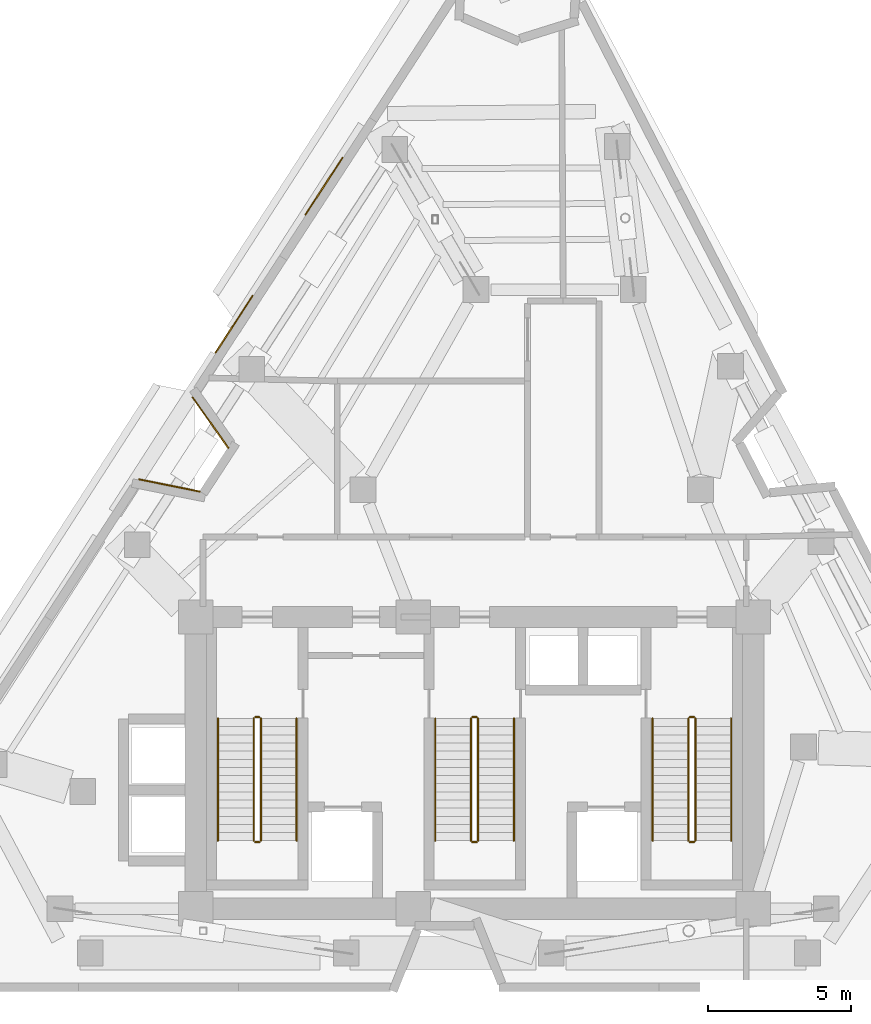
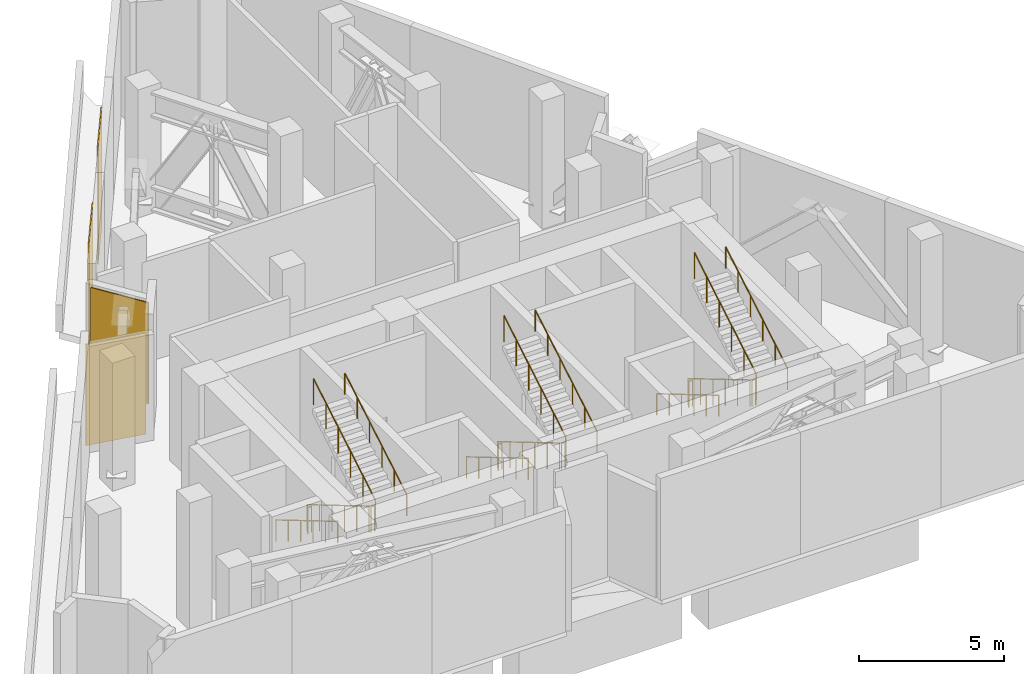
# One storey, part 8 of 8: 18 railings, 4 coverings.
"""IFC4 building model written with IfcOpenShell, lengths in metres."""

from ifc_helpers import new_model, si_unit, direction, frame, origin, origin_2d, place, context, subcontext, project, spatial, rectangle, circle, extrude, material, layer, layer_set, type_object, element, save


model = new_model("IFC4")

# Units and contexts
model_context = context("Model", 3, precision=1e-05, world=origin(), true_north=direction((0.0, 1.0)))
body_context = subcontext(model_context, "Body", "Model", "MODEL_VIEW")
ifc_project = project(units=[si_unit("LENGTHUNIT", "METRE"), si_unit("AREAUNIT", "SQUARE_METRE"), si_unit("VOLUMEUNIT", "CUBIC_METRE"), si_unit("PLANEANGLEUNIT", "RADIAN"), si_unit("MASSUNIT", "GRAM", prefix="KILO")], contexts=[model_context])

# Site, building, storey
site_placement = place(None, origin())
site = spatial("IfcSite", under=ifc_project, at=site_placement, CompositionType="ELEMENT")
building_placement = place(site_placement, origin())
building = spatial("IfcBuilding", under=site, at=building_placement, Name="Almagre Mirador Tower", CompositionType="ELEMENT")
storey_placement = place(building_placement, frame((0.0, 0.0, 201.60009765625)))
storey = spatial("IfcBuildingStorey", under=building, at=storey_placement, Name="L52", CompositionType="ELEMENT", Elevation=201.60009765625)

# Coverings
ifc_material_1 = material(Name="Almagre terracotta architectural cladding", Category="masonry")
ifc_layer = layer(ifc_material_1, 0.044921875)
ifc_layer_set = layer_set([ifc_layer], Name="Almagre terracotta architectural cladding")
covering_type = type_object("IfcCoveringType", Name="COV-CLAD-ALMAGRE", PredefinedType="CLADDING", material=ifc_layer_set)
covering_1_placement = place(storey_placement, frame((26.631591796875, 19.3486328125, 0.099853515625), z_axis=(0.0, 0.0, 1.0), x_axis=(0.980319442157, -0.197417809047, 0.0)))
element("IfcCovering", 1, at=covering_1_placement, inside=storey, type_object=covering_type, Name="L52 almagre terracotta pier cladding", PredefinedType="CLADDING", context=body_context, shape_type="SweptSolid", body=[
    extrude(rectangle(XDim=2.194091796875, YDim=0.044921875, at=origin_2d()), origin(), (0.0, 0.0, 1.0), 4.27490234375),
])
covering_2_placement = place(storey_placement, frame((28.063720703125, 21.5478515625, 0.099853515625), z_axis=(0.0, 0.0, 1.0), x_axis=(-0.577159443033, 0.816631481953, 0.0)))
element("IfcCovering", 2, at=covering_2_placement, inside=storey, type_object=covering_type, Name="L52 almagre terracotta pier cladding", PredefinedType="CLADDING", context=body_context, shape_type="SweptSolid", body=[
    extrude(rectangle(XDim=2.193115234375, YDim=0.044921875, at=origin_2d()), origin(), (0.0, 0.0, 1.0), 4.27490234375),
])
for number, where, z_axis, x_axis, name in (
    (3, (28.88818359375, 24.98388671875, 0.10009765625), (0.0, 0.0, 1.0), (0.545590125912, 0.838052155004, 0.0), "L52 almagre terracotta pier cladding"),
    (4, (32.032958984375, 29.814208984375, 0.10009765625), (0.0, 0.0, 1.0), (0.545590125912, 0.838052155004, 0.0), "L52 almagre terracotta pier cladding"),
):
    element("IfcCovering", number, at=place(storey_placement, frame(where, z_axis=z_axis, x_axis=x_axis)), inside=storey, type_object=covering_type, Name=name, PredefinedType="CLADDING", context=body_context, shape_type="SweptSolid", body=[
        extrude(rectangle(XDim=2.39990234375, YDim=0.044921875, at=origin_2d()), origin(), (0.0, 0.0, 1.0), 4.949951171875),
    ])

# Railings
ifc_material_2 = material(Name="Painted galvanized steel", Category="steel")
railing_type_1 = type_object("IfcRailingType", Name="RLG-GRD-1100", PredefinedType="GUARDRAIL", material=ifc_material_2)
railing_1_placement = place(storey_placement, frame((29.574951171875, 11.199951171875, 0.168701171875)))
element("IfcRailing", 5, at=railing_1_placement, inside=storey, type_object=railing_type_1, Name="L52 ST-1 stair guard 1", PredefinedType="GUARDRAIL", context=body_context, shape_type="SweptSolid", body=[
    extrude(circle(Radius=0.02392578125, at=origin_2d()), frame((0.0, 0.0, 1.09619140625), z_axis=(0.0, -0.860470286479, 0.509500624227), x_axis=(1.0, 0.0, 0.0)), (0.0, 0.0, 1.0), 4.968017578125),
    extrude(circle(Radius=0.02099609375, at=origin_2d()), origin(), (0.0, 0.0, 1.0), 1.072021484375),
    extrude(circle(Radius=0.02099609375, at=origin_2d()), frame((0.0, -0.85498046875, 0.50634765625)), (0.0, 0.0, 1.0), 1.072021484375),
    extrude(circle(Radius=0.02099609375, at=origin_2d()), frame((0.0, -1.7099609375, 1.012451171875)), (0.0, 0.0, 1.0), 1.072021484375),
    extrude(circle(Radius=0.02099609375, at=origin_2d()), frame((0.0, -2.56494140625, 1.518798828125)), (0.0, 0.0, 1.0), 1.072021484375),
    extrude(circle(Radius=0.02099609375, at=origin_2d()), frame((0.0, -3.419921875, 2.02490234375)), (0.0, 0.0, 1.0), 1.072021484375),
    extrude(circle(Radius=0.02099609375, at=origin_2d()), frame((0.0, -4.27490234375, 2.53125)), (0.0, 0.0, 1.0), 1.072021484375),
])
railing_2_placement = place(storey_placement, frame((29.625, 6.875, 2.699951171875)))
element("IfcRailing", 6, at=railing_2_placement, inside=storey, type_object=railing_type_1, Name="L52 ST-1 stair guard 2", PredefinedType="GUARDRAIL", context=body_context, shape_type="SweptSolid", body=[
    extrude(circle(Radius=0.02392578125, at=origin_2d()), frame((0.0, 0.0, 1.09619140625), z_axis=(1.0, 0.0, 0.0), x_axis=(0.0, 1.0, 0.0)), (0.0, 0.0, 1.0), 0.14990234375),
    extrude(circle(Radius=0.02099609375, at=origin_2d()), origin(), (0.0, 0.0, 1.0), 1.072021484375),
    extrude(circle(Radius=0.02099609375, at=origin_2d()), frame((0.14990234375, 0.0, 0.0)), (0.0, 0.0, 1.0), 1.072021484375),
])
railing_3_placement = place(storey_placement, frame((29.824951171875, 6.925048828125, 2.86865234375)))
element("IfcRailing", 7, at=railing_3_placement, inside=storey, type_object=railing_type_1, Name="L52 ST-1 stair guard 3", PredefinedType="GUARDRAIL", context=body_context, shape_type="SweptSolid", body=[
    extrude(circle(Radius=0.02392578125, at=origin_2d()), frame((0.0, 0.0, 1.09619140625), z_axis=(0.0, 0.860470286479, 0.509500624227), x_axis=(-1.0, 0.0, 0.0)), (0.0, 0.0, 1.0), 4.968017578125),
    extrude(circle(Radius=0.02099609375, at=origin_2d()), origin(), (0.0, 0.0, 1.0), 1.072021484375),
    extrude(circle(Radius=0.02099609375, at=origin_2d()), frame((0.0, 0.85498046875, 0.50634765625)), (0.0, 0.0, 1.0), 1.072021484375),
    extrude(circle(Radius=0.02099609375, at=origin_2d()), frame((0.0, 1.7099609375, 1.012451171875)), (0.0, 0.0, 1.0), 1.072021484375),
    extrude(circle(Radius=0.02099609375, at=origin_2d()), frame((0.0, 2.56494140625, 1.518798828125)), (0.0, 0.0, 1.0), 1.072021484375),
    extrude(circle(Radius=0.02099609375, at=origin_2d()), frame((0.0, 3.419921875, 2.02490234375)), (0.0, 0.0, 1.0), 1.072021484375),
    extrude(circle(Radius=0.02099609375, at=origin_2d()), frame((0.0, 4.27490234375, 2.53125)), (0.0, 0.0, 1.0), 1.072021484375),
])
railing_4_placement = place(storey_placement, frame((29.625, 11.25, 0.0)))
element("IfcRailing", 8, at=railing_4_placement, inside=storey, type_object=railing_type_1, Name="L52 ST-1 stair guard 4", PredefinedType="GUARDRAIL", context=body_context, shape_type="SweptSolid", body=[
    extrude(circle(Radius=0.02392578125, at=origin_2d()), frame((0.0, 0.0, 1.09619140625), z_axis=(1.0, 0.0, 0.0), x_axis=(0.0, 1.0, 0.0)), (0.0, 0.0, 1.0), 0.14990234375),
    extrude(circle(Radius=0.02099609375, at=origin_2d()), origin(), (0.0, 0.0, 1.0), 1.072021484375),
    extrude(circle(Radius=0.02099609375, at=origin_2d()), frame((0.14990234375, 0.0, 0.0)), (0.0, 0.0, 1.0), 1.072021484375),
])
railing_5_placement = place(storey_placement, frame((37.175048828125, 11.199951171875, 0.168701171875)))
element("IfcRailing", 9, at=railing_5_placement, inside=storey, type_object=railing_type_1, Name="L52 ST-2 stair guard 1", PredefinedType="GUARDRAIL", context=body_context, shape_type="SweptSolid", body=[
    extrude(circle(Radius=0.02392578125, at=origin_2d()), frame((0.0, 0.0, 1.09619140625), z_axis=(0.0, -0.860470286479, 0.509500624227), x_axis=(1.0, 0.0, 0.0)), (0.0, 0.0, 1.0), 4.968017578125),
    extrude(circle(Radius=0.02099609375, at=origin_2d()), origin(), (0.0, 0.0, 1.0), 1.072021484375),
    extrude(circle(Radius=0.02099609375, at=origin_2d()), frame((0.0, -0.85498046875, 0.50634765625)), (0.0, 0.0, 1.0), 1.072021484375),
    extrude(circle(Radius=0.02099609375, at=origin_2d()), frame((0.0, -1.7099609375, 1.012451171875)), (0.0, 0.0, 1.0), 1.072021484375),
    extrude(circle(Radius=0.02099609375, at=origin_2d()), frame((0.0, -2.56494140625, 1.518798828125)), (0.0, 0.0, 1.0), 1.072021484375),
    extrude(circle(Radius=0.02099609375, at=origin_2d()), frame((0.0, -3.419921875, 2.02490234375)), (0.0, 0.0, 1.0), 1.072021484375),
    extrude(circle(Radius=0.02099609375, at=origin_2d()), frame((0.0, -4.27490234375, 2.53125)), (0.0, 0.0, 1.0), 1.072021484375),
])
railing_6_placement = place(storey_placement, frame((37.22509765625, 6.875, 2.699951171875)))
element("IfcRailing", 10, at=railing_6_placement, inside=storey, type_object=railing_type_1, Name="L52 ST-2 stair guard 2", PredefinedType="GUARDRAIL", context=body_context, shape_type="SweptSolid", body=[
    extrude(circle(Radius=0.02392578125, at=origin_2d()), frame((0.0, 0.0, 1.09619140625), z_axis=(1.0, 0.0, 0.0), x_axis=(0.0, 1.0, 0.0)), (0.0, 0.0, 1.0), 0.14990234375),
    extrude(circle(Radius=0.02099609375, at=origin_2d()), origin(), (0.0, 0.0, 1.0), 1.072021484375),
    extrude(circle(Radius=0.02099609375, at=origin_2d()), frame((0.14990234375, 0.0, 0.0)), (0.0, 0.0, 1.0), 1.072021484375),
])
railing_7_placement = place(storey_placement, frame((37.425048828125, 6.925048828125, 2.86865234375)))
element("IfcRailing", 11, at=railing_7_placement, inside=storey, type_object=railing_type_1, Name="L52 ST-2 stair guard 3", PredefinedType="GUARDRAIL", context=body_context, shape_type="SweptSolid", body=[
    extrude(circle(Radius=0.02392578125, at=origin_2d()), frame((0.0, 0.0, 1.09619140625), z_axis=(0.0, 0.860470286479, 0.509500624227), x_axis=(-1.0, 0.0, 0.0)), (0.0, 0.0, 1.0), 4.968017578125),
    extrude(circle(Radius=0.02099609375, at=origin_2d()), origin(), (0.0, 0.0, 1.0), 1.072021484375),
    extrude(circle(Radius=0.02099609375, at=origin_2d()), frame((0.0, 0.85498046875, 0.50634765625)), (0.0, 0.0, 1.0), 1.072021484375),
    extrude(circle(Radius=0.02099609375, at=origin_2d()), frame((0.0, 1.7099609375, 1.012451171875)), (0.0, 0.0, 1.0), 1.072021484375),
    extrude(circle(Radius=0.02099609375, at=origin_2d()), frame((0.0, 2.56494140625, 1.518798828125)), (0.0, 0.0, 1.0), 1.072021484375),
    extrude(circle(Radius=0.02099609375, at=origin_2d()), frame((0.0, 3.419921875, 2.02490234375)), (0.0, 0.0, 1.0), 1.072021484375),
    extrude(circle(Radius=0.02099609375, at=origin_2d()), frame((0.0, 4.27490234375, 2.53125)), (0.0, 0.0, 1.0), 1.072021484375),
])
railing_8_placement = place(storey_placement, frame((37.22509765625, 11.25, 0.0)))
element("IfcRailing", 12, at=railing_8_placement, inside=storey, type_object=railing_type_1, Name="L52 ST-2 stair guard 4", PredefinedType="GUARDRAIL", context=body_context, shape_type="SweptSolid", body=[
    extrude(circle(Radius=0.02392578125, at=origin_2d()), frame((0.0, 0.0, 1.09619140625), z_axis=(1.0, 0.0, 0.0), x_axis=(0.0, 1.0, 0.0)), (0.0, 0.0, 1.0), 0.14990234375),
    extrude(circle(Radius=0.02099609375, at=origin_2d()), origin(), (0.0, 0.0, 1.0), 1.072021484375),
    extrude(circle(Radius=0.02099609375, at=origin_2d()), frame((0.14990234375, 0.0, 0.0)), (0.0, 0.0, 1.0), 1.072021484375),
])
railing_9_placement = place(storey_placement, frame((44.77490234375, 11.199951171875, 0.168701171875)))
element("IfcRailing", 13, at=railing_9_placement, inside=storey, type_object=railing_type_1, Name="L52 ST-3 stair guard 1", PredefinedType="GUARDRAIL", context=body_context, shape_type="SweptSolid", body=[
    extrude(circle(Radius=0.02392578125, at=origin_2d()), frame((0.0, 0.0, 1.09619140625), z_axis=(0.0, -0.860470286479, 0.509500624227), x_axis=(1.0, 0.0, 0.0)), (0.0, 0.0, 1.0), 4.968017578125),
    extrude(circle(Radius=0.02099609375, at=origin_2d()), origin(), (0.0, 0.0, 1.0), 1.072021484375),
    extrude(circle(Radius=0.02099609375, at=origin_2d()), frame((0.0, -0.85498046875, 0.50634765625)), (0.0, 0.0, 1.0), 1.072021484375),
    extrude(circle(Radius=0.02099609375, at=origin_2d()), frame((0.0, -1.7099609375, 1.012451171875)), (0.0, 0.0, 1.0), 1.072021484375),
    extrude(circle(Radius=0.02099609375, at=origin_2d()), frame((0.0, -2.56494140625, 1.518798828125)), (0.0, 0.0, 1.0), 1.072021484375),
    extrude(circle(Radius=0.02099609375, at=origin_2d()), frame((0.0, -3.419921875, 2.02490234375)), (0.0, 0.0, 1.0), 1.072021484375),
    extrude(circle(Radius=0.02099609375, at=origin_2d()), frame((0.0, -4.27490234375, 2.53125)), (0.0, 0.0, 1.0), 1.072021484375),
])
railing_10_placement = place(storey_placement, frame((44.824951171875, 6.875, 2.699951171875)))
element("IfcRailing", 14, at=railing_10_placement, inside=storey, type_object=railing_type_1, Name="L52 ST-3 stair guard 2", PredefinedType="GUARDRAIL", context=body_context, shape_type="SweptSolid", body=[
    extrude(circle(Radius=0.02392578125, at=origin_2d()), frame((0.0, 0.0, 1.09619140625), z_axis=(1.0, 0.0, 0.0), x_axis=(0.0, 1.0, 0.0)), (0.0, 0.0, 1.0), 0.150146484375),
    extrude(circle(Radius=0.02099609375, at=origin_2d()), origin(), (0.0, 0.0, 1.0), 1.072021484375),
    extrude(circle(Radius=0.02099609375, at=origin_2d()), frame((0.150146484375, 0.0, 0.0)), (0.0, 0.0, 1.0), 1.072021484375),
])
railing_11_placement = place(storey_placement, frame((45.02490234375, 6.925048828125, 2.86865234375)))
element("IfcRailing", 15, at=railing_11_placement, inside=storey, type_object=railing_type_1, Name="L52 ST-3 stair guard 3", PredefinedType="GUARDRAIL", context=body_context, shape_type="SweptSolid", body=[
    extrude(circle(Radius=0.02392578125, at=origin_2d()), frame((0.0, 0.0, 1.09619140625), z_axis=(0.0, 0.860470286479, 0.509500624227), x_axis=(-1.0, 0.0, 0.0)), (0.0, 0.0, 1.0), 4.968017578125),
    extrude(circle(Radius=0.02099609375, at=origin_2d()), origin(), (0.0, 0.0, 1.0), 1.072021484375),
    extrude(circle(Radius=0.02099609375, at=origin_2d()), frame((0.0, 0.85498046875, 0.50634765625)), (0.0, 0.0, 1.0), 1.072021484375),
    extrude(circle(Radius=0.02099609375, at=origin_2d()), frame((0.0, 1.7099609375, 1.012451171875)), (0.0, 0.0, 1.0), 1.072021484375),
    extrude(circle(Radius=0.02099609375, at=origin_2d()), frame((0.0, 2.56494140625, 1.518798828125)), (0.0, 0.0, 1.0), 1.072021484375),
    extrude(circle(Radius=0.02099609375, at=origin_2d()), frame((0.0, 3.419921875, 2.02490234375)), (0.0, 0.0, 1.0), 1.072021484375),
    extrude(circle(Radius=0.02099609375, at=origin_2d()), frame((0.0, 4.27490234375, 2.53125)), (0.0, 0.0, 1.0), 1.072021484375),
])
railing_12_placement = place(storey_placement, frame((44.824951171875, 11.25, 0.0)))
element("IfcRailing", 16, at=railing_12_placement, inside=storey, type_object=railing_type_1, Name="L52 ST-3 stair guard 4", PredefinedType="GUARDRAIL", context=body_context, shape_type="SweptSolid", body=[
    extrude(circle(Radius=0.02392578125, at=origin_2d()), frame((0.0, 0.0, 1.09619140625), z_axis=(1.0, 0.0, 0.0), x_axis=(0.0, 1.0, 0.0)), (0.0, 0.0, 1.0), 0.150146484375),
    extrude(circle(Radius=0.02099609375, at=origin_2d()), origin(), (0.0, 0.0, 1.0), 1.072021484375),
    extrude(circle(Radius=0.02099609375, at=origin_2d()), frame((0.150146484375, 0.0, 0.0)), (0.0, 0.0, 1.0), 1.072021484375),
])
ifc_material_3 = material(Name="Brushed stainless steel", Category="steel")
railing_type_2 = type_object("IfcRailingType", Name="RLG-HND-915", PredefinedType="HANDRAIL", material=ifc_material_3)
railing_13_placement = place(storey_placement, frame((28.324951171875, 11.199951171875, 0.168701171875)))
element("IfcRailing", 17, at=railing_13_placement, inside=storey, type_object=railing_type_2, Name="L52 ST-1 stair handrail 1", PredefinedType="HANDRAIL", context=body_context, shape_type="SweptSolid", body=[
    extrude(circle(Radius=0.02392578125, at=origin_2d()), frame((0.0, 0.0, 0.89111328125), z_axis=(0.0, -0.860470286479, 0.509500624227), x_axis=(1.0, 0.0, 0.0)), (0.0, 0.0, 1.0), 4.968017578125),
    extrude(circle(Radius=0.02099609375, at=origin_2d()), origin(), (0.0, 0.0, 1.0), 0.866943359375),
    extrude(circle(Radius=0.02099609375, at=origin_2d()), frame((0.0, -0.85498046875, 0.50634765625)), (0.0, 0.0, 1.0), 0.866943359375),
    extrude(circle(Radius=0.02099609375, at=origin_2d()), frame((0.0, -1.7099609375, 1.012451171875)), (0.0, 0.0, 1.0), 0.866943359375),
    extrude(circle(Radius=0.02099609375, at=origin_2d()), frame((0.0, -2.56494140625, 1.518798828125)), (0.0, 0.0, 1.0), 0.866943359375),
    extrude(circle(Radius=0.02099609375, at=origin_2d()), frame((0.0, -3.419921875, 2.02490234375)), (0.0, 0.0, 1.0), 0.866943359375),
    extrude(circle(Radius=0.02099609375, at=origin_2d()), frame((0.0, -4.27490234375, 2.53125)), (0.0, 0.0, 1.0), 0.866943359375),
])
railing_14_placement = place(storey_placement, frame((31.074951171875, 6.925048828125, 2.86865234375)))
element("IfcRailing", 18, at=railing_14_placement, inside=storey, type_object=railing_type_2, Name="L52 ST-1 stair handrail 2", PredefinedType="HANDRAIL", context=body_context, shape_type="SweptSolid", body=[
    extrude(circle(Radius=0.02392578125, at=origin_2d()), frame((0.0, 0.0, 0.89111328125), z_axis=(0.0, 0.860470286479, 0.509500624227), x_axis=(-1.0, 0.0, 0.0)), (0.0, 0.0, 1.0), 4.968017578125),
    extrude(circle(Radius=0.02099609375, at=origin_2d()), origin(), (0.0, 0.0, 1.0), 0.866943359375),
    extrude(circle(Radius=0.02099609375, at=origin_2d()), frame((0.0, 0.85498046875, 0.50634765625)), (0.0, 0.0, 1.0), 0.866943359375),
    extrude(circle(Radius=0.02099609375, at=origin_2d()), frame((0.0, 1.7099609375, 1.012451171875)), (0.0, 0.0, 1.0), 0.866943359375),
    extrude(circle(Radius=0.02099609375, at=origin_2d()), frame((0.0, 2.56494140625, 1.518798828125)), (0.0, 0.0, 1.0), 0.866943359375),
    extrude(circle(Radius=0.02099609375, at=origin_2d()), frame((0.0, 3.419921875, 2.02490234375)), (0.0, 0.0, 1.0), 0.866943359375),
    extrude(circle(Radius=0.02099609375, at=origin_2d()), frame((0.0, 4.27490234375, 2.53125)), (0.0, 0.0, 1.0), 0.866943359375),
])
railing_15_placement = place(storey_placement, frame((35.925048828125, 11.199951171875, 0.168701171875)))
element("IfcRailing", 19, at=railing_15_placement, inside=storey, type_object=railing_type_2, Name="L52 ST-2 stair handrail 1", PredefinedType="HANDRAIL", context=body_context, shape_type="SweptSolid", body=[
    extrude(circle(Radius=0.02392578125, at=origin_2d()), frame((0.0, 0.0, 0.89111328125), z_axis=(0.0, -0.860470286479, 0.509500624227), x_axis=(1.0, 0.0, 0.0)), (0.0, 0.0, 1.0), 4.968017578125),
    extrude(circle(Radius=0.02099609375, at=origin_2d()), origin(), (0.0, 0.0, 1.0), 0.866943359375),
    extrude(circle(Radius=0.02099609375, at=origin_2d()), frame((0.0, -0.85498046875, 0.50634765625)), (0.0, 0.0, 1.0), 0.866943359375),
    extrude(circle(Radius=0.02099609375, at=origin_2d()), frame((0.0, -1.7099609375, 1.012451171875)), (0.0, 0.0, 1.0), 0.866943359375),
    extrude(circle(Radius=0.02099609375, at=origin_2d()), frame((0.0, -2.56494140625, 1.518798828125)), (0.0, 0.0, 1.0), 0.866943359375),
    extrude(circle(Radius=0.02099609375, at=origin_2d()), frame((0.0, -3.419921875, 2.02490234375)), (0.0, 0.0, 1.0), 0.866943359375),
    extrude(circle(Radius=0.02099609375, at=origin_2d()), frame((0.0, -4.27490234375, 2.53125)), (0.0, 0.0, 1.0), 0.866943359375),
])
railing_16_placement = place(storey_placement, frame((38.675048828125, 6.925048828125, 2.86865234375)))
element("IfcRailing", 20, at=railing_16_placement, inside=storey, type_object=railing_type_2, Name="L52 ST-2 stair handrail 2", PredefinedType="HANDRAIL", context=body_context, shape_type="SweptSolid", body=[
    extrude(circle(Radius=0.02392578125, at=origin_2d()), frame((0.0, 0.0, 0.89111328125), z_axis=(0.0, 0.860470286479, 0.509500624227), x_axis=(-1.0, 0.0, 0.0)), (0.0, 0.0, 1.0), 4.968017578125),
    extrude(circle(Radius=0.02099609375, at=origin_2d()), origin(), (0.0, 0.0, 1.0), 0.866943359375),
    extrude(circle(Radius=0.02099609375, at=origin_2d()), frame((0.0, 0.85498046875, 0.50634765625)), (0.0, 0.0, 1.0), 0.866943359375),
    extrude(circle(Radius=0.02099609375, at=origin_2d()), frame((0.0, 1.7099609375, 1.012451171875)), (0.0, 0.0, 1.0), 0.866943359375),
    extrude(circle(Radius=0.02099609375, at=origin_2d()), frame((0.0, 2.56494140625, 1.518798828125)), (0.0, 0.0, 1.0), 0.866943359375),
    extrude(circle(Radius=0.02099609375, at=origin_2d()), frame((0.0, 3.419921875, 2.02490234375)), (0.0, 0.0, 1.0), 0.866943359375),
    extrude(circle(Radius=0.02099609375, at=origin_2d()), frame((0.0, 4.27490234375, 2.53125)), (0.0, 0.0, 1.0), 0.866943359375),
])
railing_17_placement = place(storey_placement, frame((43.52490234375, 11.199951171875, 0.168701171875)))
element("IfcRailing", 21, at=railing_17_placement, inside=storey, type_object=railing_type_2, Name="L52 ST-3 stair handrail 1", PredefinedType="HANDRAIL", context=body_context, shape_type="SweptSolid", body=[
    extrude(circle(Radius=0.02392578125, at=origin_2d()), frame((0.0, 0.0, 0.89111328125), z_axis=(0.0, -0.860470286479, 0.509500624227), x_axis=(1.0, 0.0, 0.0)), (0.0, 0.0, 1.0), 4.968017578125),
    extrude(circle(Radius=0.02099609375, at=origin_2d()), origin(), (0.0, 0.0, 1.0), 0.866943359375),
    extrude(circle(Radius=0.02099609375, at=origin_2d()), frame((0.0, -0.85498046875, 0.50634765625)), (0.0, 0.0, 1.0), 0.866943359375),
    extrude(circle(Radius=0.02099609375, at=origin_2d()), frame((0.0, -1.7099609375, 1.012451171875)), (0.0, 0.0, 1.0), 0.866943359375),
    extrude(circle(Radius=0.02099609375, at=origin_2d()), frame((0.0, -2.56494140625, 1.518798828125)), (0.0, 0.0, 1.0), 0.866943359375),
    extrude(circle(Radius=0.02099609375, at=origin_2d()), frame((0.0, -3.419921875, 2.02490234375)), (0.0, 0.0, 1.0), 0.866943359375),
    extrude(circle(Radius=0.02099609375, at=origin_2d()), frame((0.0, -4.27490234375, 2.53125)), (0.0, 0.0, 1.0), 0.866943359375),
])
railing_18_placement = place(storey_placement, frame((46.27490234375, 6.925048828125, 2.86865234375)))
element("IfcRailing", 22, at=railing_18_placement, inside=storey, type_object=railing_type_2, Name="L52 ST-3 stair handrail 2", PredefinedType="HANDRAIL", context=body_context, shape_type="SweptSolid", body=[
    extrude(circle(Radius=0.02392578125, at=origin_2d()), frame((0.0, 0.0, 0.89111328125), z_axis=(0.0, 0.860470286479, 0.509500624227), x_axis=(-1.0, 0.0, 0.0)), (0.0, 0.0, 1.0), 4.968017578125),
    extrude(circle(Radius=0.02099609375, at=origin_2d()), origin(), (0.0, 0.0, 1.0), 0.866943359375),
    extrude(circle(Radius=0.02099609375, at=origin_2d()), frame((0.0, 0.85498046875, 0.50634765625)), (0.0, 0.0, 1.0), 0.866943359375),
    extrude(circle(Radius=0.02099609375, at=origin_2d()), frame((0.0, 1.7099609375, 1.012451171875)), (0.0, 0.0, 1.0), 0.866943359375),
    extrude(circle(Radius=0.02099609375, at=origin_2d()), frame((0.0, 2.56494140625, 1.518798828125)), (0.0, 0.0, 1.0), 0.866943359375),
    extrude(circle(Radius=0.02099609375, at=origin_2d()), frame((0.0, 3.419921875, 2.02490234375)), (0.0, 0.0, 1.0), 0.866943359375),
    extrude(circle(Radius=0.02099609375, at=origin_2d()), frame((0.0, 4.27490234375, 2.53125)), (0.0, 0.0, 1.0), 0.866943359375),
])

save(model, "model.ifc")
